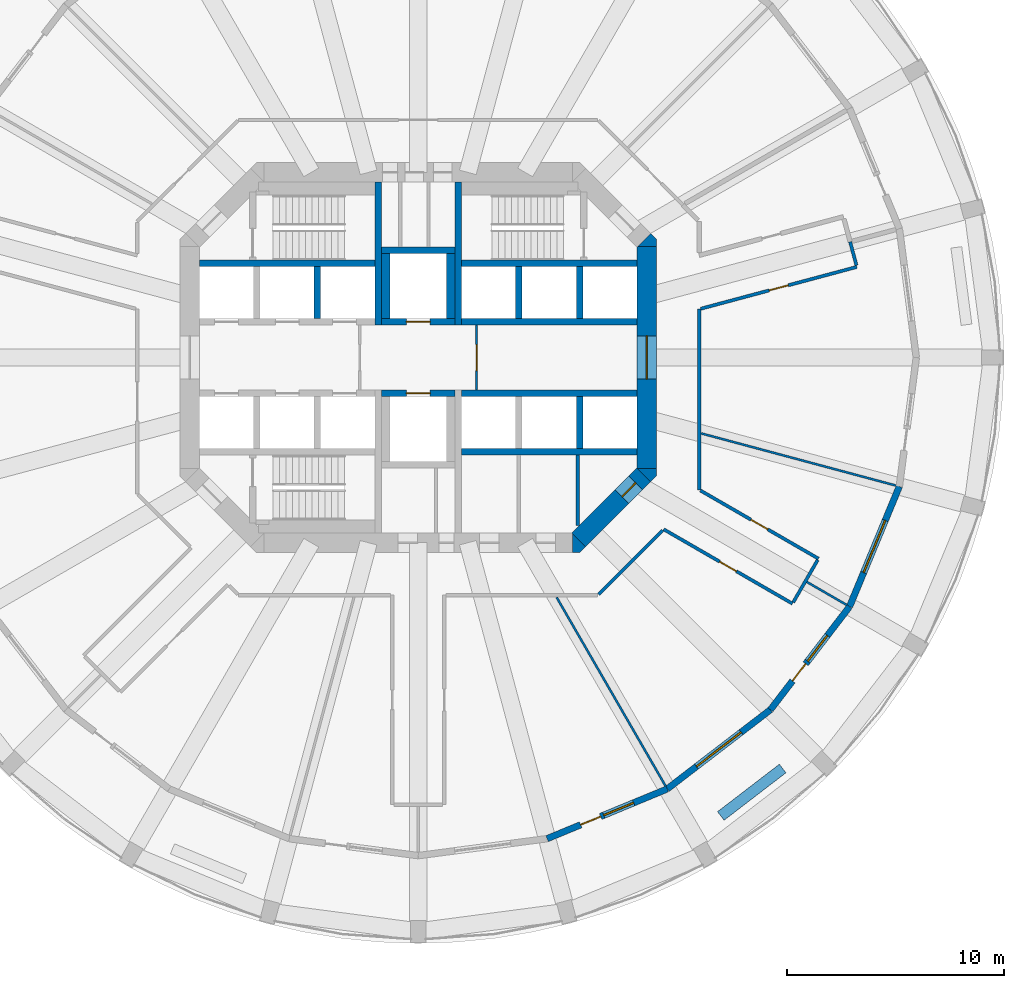
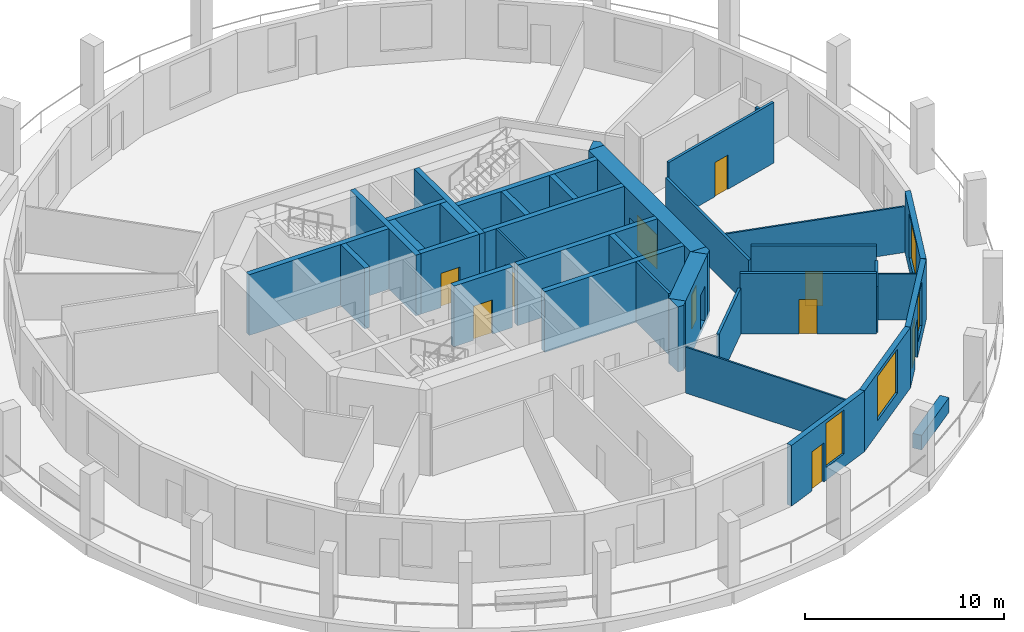
# One storey, part 4 of 9: 38 walls, 10 doors, 4 windows, 14 openings.
"""IFC4 building model written with IfcOpenShell, lengths in metres."""

from ifc_helpers import new_model, si_unit, direction, frame, frame_2d, origin, place, context, subcontext, project, spatial, polyline, rectangle, outline, extrude, material, layer, layer_set, type_object, element, fill, save


model = new_model("IFC4")

# Units and contexts
model_context = context("Model", 3, precision=1e-05, world=origin(), true_north=direction((0.0, 1.0)))
body_context = subcontext(model_context, "Body", "Model", "MODEL_VIEW")
ifc_project = project(units=[si_unit("LENGTHUNIT", "METRE"), si_unit("AREAUNIT", "SQUARE_METRE"), si_unit("VOLUMEUNIT", "CUBIC_METRE"), si_unit("PLANEANGLEUNIT", "RADIAN"), si_unit("MASSUNIT", "GRAM", prefix="KILO")], contexts=[model_context])

# Site, building, storey
site_placement = place(None, origin())
site = spatial("IfcSite", under=ifc_project, at=site_placement, CompositionType="ELEMENT")
building_placement = place(site_placement, origin())
building = spatial("IfcBuilding", under=site, at=building_placement, Name="Torre Triforio", CompositionType="ELEMENT")
storey_placement = place(building_placement, frame((0.0, 0.0, 47.0)))
storey = spatial("IfcBuildingStorey", under=building, at=storey_placement, Name="L09", CompositionType="ELEMENT", Elevation=47.0)

# Walls
ifc_material_1 = material(Name="Concrete C60", Category="concrete")
ifc_layer_1 = layer(ifc_material_1, 0.300048828125)
ifc_layer_set_1 = layer_set([ifc_layer_1], Name="Concrete C60")
wall_type_1 = type_object("IfcWallType", Name="Core wall 300 mm C60 EI 120", PredefinedType="SHEAR", material=ifc_layer_set_1)
for number, where, z_axis, x_axis, name in (
    (1, (-1.85009765625, 1.5, 0.0), (0.0, 0.0, 1.0), (0.0, 1.0, 0.0), "Core wall"),
    (2, (1.85009765625, 1.5, 0.0), (0.0, 0.0, 1.0), (0.0, 1.0, 0.0), "Core wall"),
):
    element("IfcWall", number, at=place(storey_placement, frame(where, z_axis=z_axis, x_axis=x_axis)), inside=storey, type_object=wall_type_1, Name=name, PredefinedType="SHEAR", context=body_context, shape_type="SweptSolid", body=[
        extrude(rectangle(XDim=6.60009765625, YDim=0.300048828125, at=frame_2d((3.300048828125, 0.0))), origin(), (0.0, 0.0, 1.0), 3.719970703125),
    ])

# Wall, opening, door
ifc_layer_2 = layer(ifc_material_1, 0.89990234375)
ifc_layer_set_2 = layer_set([ifc_layer_2], Name="Concrete C60")
wall_type_2 = type_object("IfcWallType", Name="Core wall 900 mm C60 EI 120", PredefinedType="SHEAR", material=ifc_layer_set_2)
wall_1_placement = place(storey_placement, frame((10.550048828125, -5.1298828125, -0.280029296875), z_axis=(0.0, 0.0, 1.0), x_axis=(0.0, 1.0, 0.0)))
wall_1 = element("IfcWall", 3, at=wall_1_placement, inside=storey, type_object=wall_type_2, Name="Core wall", PredefinedType="SHEAR", context=body_context, shape_type="SweptSolid", body=[
    extrude(rectangle(XDim=10.259765625, YDim=0.89990234375, at=frame_2d((5.1298828125, 0.0))), origin(), (0.0, 0.0, 1.0), 4.0),
])
opening_1_placement = place(wall_1_placement, frame((4.1298828125, 0.0, 0.280029296875)))
opening_1 = element("IfcOpeningElement", 4, at=opening_1_placement, cuts=wall_1, Name="Opening E-RING", PredefinedType="OPENING", context=body_context, shape_type="SweptSolid", body=[
    extrude(rectangle(XDim=2.0, YDim=2.10009765625, at=frame_2d((1.0, 1.050048828125))), frame((0.0, 0.4599609375, 0.0), z_axis=(0.0, -1.0, 0.0), x_axis=(1.0, 0.0, 0.0)), (0.0, 0.0, 1.0), 0.919921875),
])
ifc_material_2 = material(Name="Hollow metal fire door leaf")
door_type_1 = type_object("IfcDoorType", Name="Lobby door 2000 x 2100 EI 60", OperationType="DOUBLE_DOOR_SINGLE_SWING", PredefinedType="DOOR", material=ifc_material_2)
door_1_placement = place(opening_1_placement, origin())
door_1 = element("IfcDoor", 5, at=door_1_placement, inside=storey, type_object=door_type_1, Name="Core door E-RING", OperationType="DOUBLE_DOOR_SINGLE_SWING", OverallHeight=2.10009765625, OverallWidth=2.0, PredefinedType="DOOR", context=body_context, shape_type="SweptSolid", body=[
    extrude(rectangle(XDim=2.0, YDim=2.10009765625, at=frame_2d((1.0, 1.050048828125))), frame((0.0, 0.02490234375, 0.0), z_axis=(0.0, -1.0, 0.0), x_axis=(1.0, 0.0, 0.0)), (0.0, 0.0, 1.0), 0.050048828125),
])
fill(opening_1, door_1)

wall_2_placement = place(storey_placement, frame((10.418212890625, -5.418212890625, -0.280029296875), z_axis=(0.0, 0.0, 1.0), x_axis=(-0.707106781187, -0.707106781187, 0.0)))
wall_2 = element("IfcWall", 6, at=wall_2_placement, inside=storey, type_object=wall_type_2, Name="Core wall", PredefinedType="SHEAR", context=body_context, shape_type="SweptSolid", body=[
    extrude(rectangle(XDim=4.24267578125, YDim=0.89990234375, at=frame_2d((2.121337890625, 0.0))), origin(), (0.0, 0.0, 1.0), 4.0),
])
opening_2_placement = place(wall_2_placement, frame((0.52001953125, 0.0, 0.280029296875)))
opening_2 = element("IfcOpeningElement", 7, at=opening_2_placement, cuts=wall_2, Name="Opening SE-03", PredefinedType="OPENING", context=body_context, shape_type="SweptSolid", body=[
    extrude(rectangle(XDim=0.89990234375, YDim=2.10009765625, at=frame_2d((0.449951171875, 1.050048828125))), frame((0.0, 0.4599609375, 0.0), z_axis=(0.0, -1.0, 0.0), x_axis=(1.0, 0.0, 0.0)), (0.0, 0.0, 1.0), 0.919921875),
])
door_type_2 = type_object("IfcDoorType", Name="Room door 900 x 2100 EI 60", OperationType="NOTDEFINED", PredefinedType="DOOR", material=ifc_material_2)
door_2_placement = place(opening_2_placement, origin())
door_2 = element("IfcDoor", 8, at=door_2_placement, inside=storey, type_object=door_type_2, Name="Core door SE-03", OperationType="SINGLE_SWING_RIGHT", OverallHeight=2.10009765625, OverallWidth=0.89990234375, PredefinedType="DOOR", context=body_context, shape_type="SweptSolid", body=[
    extrude(rectangle(XDim=0.89990234375, YDim=2.10009765625, at=frame_2d((0.449951171875, 1.050048828125))), frame((0.0, 0.02490234375, 0.0), z_axis=(0.0, -1.0, 0.0), x_axis=(1.0, 0.0, 0.0)), (0.0, 0.0, 1.0), 0.050048828125),
])
fill(opening_2, door_2)

# Walls
wall_3_placement = place(storey_placement, frame((0.0, 0.0, -0.280029296875)))
element("IfcWall", 9, at=wall_3_placement, inside=storey, type_object=wall_type_2, Name="Core wall", PredefinedType="SHEAR", context=body_context, shape_type="SweptSolid", body=[
    extrude(outline(polyline([(7.472900390625, -9.0), (7.1298828125, -9.0), (7.1298828125, -8.1298828125), (7.736328125, -8.736328125), (7.472900390625, -9.0)])), origin(), (0.0, 0.0, 1.0), 4.0),
])
wall_4_placement = place(storey_placement, frame((0.0, 0.0, -0.280029296875)))
element("IfcWall", 10, at=wall_4_placement, inside=storey, type_object=wall_type_2, Name="Core wall", PredefinedType="SHEAR", context=body_context, shape_type="SweptSolid", body=[
    extrude(outline(polyline([(11.0, -5.472900390625), (10.736328125, -5.736328125), (10.1298828125, -5.1298828125), (11.0, -5.1298828125), (11.0, -5.472900390625)])), origin(), (0.0, 0.0, 1.0), 4.0),
])
wall_5_placement = place(storey_placement, frame((0.0, 0.0, -0.280029296875)))
element("IfcWall", 11, at=wall_5_placement, inside=storey, type_object=wall_type_2, Name="Core wall", PredefinedType="SHEAR", context=body_context, shape_type="SweptSolid", body=[
    extrude(outline(polyline([(11.0, 5.472900390625), (11.0, 5.1298828125), (10.1298828125, 5.1298828125), (10.736328125, 5.736328125), (11.0, 5.472900390625)])), origin(), (0.0, 0.0, 1.0), 4.0),
])
ifc_material_3 = material(Name="Plasterboard on metal studs")
ifc_layer_3 = layer(ifc_material_3, 0.14990234375)
ifc_layer_set_3 = layer_set([ifc_layer_3], Name="Plasterboard on metal studs")
wall_type_3 = type_object("IfcWallType", Name="Corridor and tenancy wall 150 mm EI 60", PredefinedType="PARTITIONING", material=ifc_layer_set_3)
wall_6_placement = place(storey_placement, frame((18.44482421875, -9.35009765625, 0.0), z_axis=(0.0, 0.0, 1.0), x_axis=(-0.500013631625, -0.866017533419, 0.0)))
element("IfcWall", 12, at=wall_6_placement, inside=storey, type_object=wall_type_3, Name="Partition 1", PredefinedType="PARTITIONING", context=body_context, shape_type="SweptSolid", body=[
    extrude(rectangle(XDim=2.25, YDim=0.14990234375, at=frame_2d((1.125, 0.0))), origin(), (0.0, 0.0, 1.0), 2.820068359375),
])

# Wall, opening, door
wall_7_placement = place(storey_placement, frame((17.2822265625, -11.363525390625, 0.0), z_axis=(0.0, 0.0, 1.0), x_axis=(-0.86603341746, 0.49998611965, 0.0)))
wall_7 = element("IfcWall", 13, at=wall_7_placement, inside=storey, type_object=wall_type_3, Name="Partition 2", PredefinedType="PARTITIONING", context=body_context, shape_type="SweptSolid", body=[
    extrude(rectangle(XDim=6.866455078125, YDim=0.14990234375, at=frame_2d((3.43310546875, 0.0))), origin(), (0.0, 0.0, 1.0), 3.719970703125),
])
opening_3_placement = place(wall_7_placement, frame((2.9833984375, 0.0, 0.0)))
opening_3 = element("IfcOpeningElement", 14, at=opening_3_placement, cuts=wall_7, Name="Opening N2-08", PredefinedType="OPENING", context=body_context, shape_type="SweptSolid", body=[
    extrude(rectangle(XDim=0.89990234375, YDim=2.10009765625, at=frame_2d((0.449951171875, 1.050048828125))), frame((0.0, 0.0849609375, 0.0), z_axis=(0.0, -1.0, 0.0), x_axis=(1.0, 0.0, 0.0)), (0.0, 0.0, 1.0), 0.169921875),
])
ifc_material_4 = material(Name="Timber", Category="wood")
door_type_3 = type_object("IfcDoorType", Name="Door 900 x 2100 single leaf EI 30", OperationType="NOTDEFINED", PredefinedType="DOOR", material=ifc_material_4)
door_3_placement = place(opening_3_placement, origin())
door_3 = element("IfcDoor", 15, at=door_3_placement, inside=storey, type_object=door_type_3, Name="Door N2-08", OperationType="SINGLE_SWING_RIGHT", OverallHeight=2.10009765625, OverallWidth=0.89990234375, PredefinedType="DOOR", context=body_context, shape_type="SweptSolid", body=[
    extrude(rectangle(XDim=0.89990234375, YDim=2.10009765625, at=frame_2d((0.449951171875, 1.050048828125))), frame((0.0, 0.02490234375, 0.0), z_axis=(0.0, -1.0, 0.0), x_axis=(1.0, 0.0, 0.0)), (0.0, 0.0, 1.0), 0.050048828125),
])
fill(opening_3, door_3)

# Walls
wall_8_placement = place(storey_placement, frame((11.2841796875, -7.9814453125, 0.0), z_axis=(0.0, 0.0, 1.0), x_axis=(-0.707077584218, -0.707135976949, 0.0)))
element("IfcWall", 16, at=wall_8_placement, inside=storey, type_object=wall_type_3, Name="Partition 3", PredefinedType="PARTITIONING", context=body_context, shape_type="SweptSolid", body=[
    extrude(rectangle(XDim=4.180908203125, YDim=0.14990234375, at=frame_2d((2.09033203125, 0.0))), origin(), (0.0, 0.0, 1.0), 2.820068359375),
])
wall_9_placement = place(storey_placement, frame((19.945068359375, 5.34423828125, 0.0), z_axis=(0.0, 0.0, 1.0), x_axis=(0.258891558609, -0.965906393436, 0.0)))
element("IfcWall", 17, at=wall_9_placement, inside=storey, type_object=wall_type_3, Name="Partition 26", PredefinedType="PARTITIONING", context=body_context, shape_type="SweptSolid", body=[
    extrude(rectangle(XDim=1.125, YDim=0.14990234375, at=frame_2d((0.5625, 0.0))), origin(), (0.0, 0.0, 1.0), 2.820068359375),
])

# Wall, opening, door
wall_10_placement = place(storey_placement, frame((20.255615234375, 4.185302734375, 0.0), z_axis=(0.0, 0.0, 1.0), x_axis=(-0.965924840231, -0.258822725092, 0.0)))
wall_10 = element("IfcWall", 18, at=wall_10_placement, inside=storey, type_object=wall_type_3, Name="Partition 27", PredefinedType="PARTITIONING", context=body_context, shape_type="SweptSolid", body=[
    extrude(rectangle(XDim=7.465087890625, YDim=0.14990234375, at=frame_2d((3.732421875, 0.0))), origin(), (0.0, 0.0, 1.0), 3.719970703125),
])
opening_4_placement = place(wall_10_placement, frame((3.282470703125, 0.0, 0.0)))
opening_4 = element("IfcOpeningElement", 19, at=opening_4_placement, cuts=wall_10, Name="Opening N2-10", PredefinedType="OPENING", context=body_context, shape_type="SweptSolid", body=[
    extrude(rectangle(XDim=0.89990234375, YDim=2.10009765625, at=frame_2d((0.449951171875, 1.050048828125))), frame((0.0, 0.0849609375, 0.0), z_axis=(0.0, -1.0, 0.0), x_axis=(1.0, 0.0, 0.0)), (0.0, 0.0, 1.0), 0.169921875),
])
door_4_placement = place(opening_4_placement, origin())
door_4 = element("IfcDoor", 20, at=door_4_placement, inside=storey, type_object=door_type_3, Name="Door N2-10", OperationType="SINGLE_SWING_RIGHT", OverallHeight=2.10009765625, OverallWidth=0.89990234375, PredefinedType="DOOR", context=body_context, shape_type="SweptSolid", body=[
    extrude(rectangle(XDim=0.89990234375, YDim=2.10009765625, at=frame_2d((0.449951171875, 1.050048828125))), frame((0.0, 0.02490234375, 0.0), z_axis=(0.0, -1.0, 0.0), x_axis=(1.0, 0.0, 0.0)), (0.0, 0.0, 1.0), 0.050048828125),
])
fill(opening_4, door_4)

# Wall
wall_11_placement = place(storey_placement, frame((12.97509765625, 2.234375, 0.0), z_axis=(0.0, 0.0, 1.0), x_axis=(0.0, -1.0, 0.0)))
element("IfcWall", 21, at=wall_11_placement, inside=storey, type_object=wall_type_3, Name="Partition 28", PredefinedType="PARTITIONING", context=body_context, shape_type="SweptSolid", body=[
    extrude(rectangle(XDim=8.33984375, YDim=0.14990234375, at=frame_2d((4.169921875, 0.0))), origin(), (0.0, 0.0, 1.0), 2.820068359375),
])

# Wall, opening, door
wall_12_placement = place(storey_placement, frame((13.03125, -6.137939453125, 0.0), z_axis=(0.0, 0.0, 1.0), x_axis=(0.86602669382, -0.499997765587, 0.0)))
wall_12 = element("IfcWall", 22, at=wall_12_placement, inside=storey, type_object=wall_type_3, Name="Partition 29", PredefinedType="PARTITIONING", context=body_context, shape_type="SweptSolid", body=[
    extrude(rectangle(XDim=6.29443359375, YDim=0.14990234375, at=frame_2d((3.147216796875, 0.0))), origin(), (0.0, 0.0, 1.0), 3.719970703125),
])
opening_5_placement = place(wall_12_placement, frame((2.697021484375, 0.0, 0.0)))
opening_5 = element("IfcOpeningElement", 23, at=opening_5_placement, cuts=wall_12, Name="Opening N2-09", PredefinedType="OPENING", context=body_context, shape_type="SweptSolid", body=[
    extrude(rectangle(XDim=0.89990234375, YDim=2.10009765625, at=frame_2d((0.449951171875, 1.050048828125))), frame((0.0, 0.0849609375, 0.0), z_axis=(0.0, -1.0, 0.0), x_axis=(1.0, 0.0, 0.0)), (0.0, 0.0, 1.0), 0.169921875),
])
door_5_placement = place(opening_5_placement, origin())
door_5 = element("IfcDoor", 24, at=door_5_placement, inside=storey, type_object=door_type_3, Name="Door N2-09", OperationType="SINGLE_SWING_LEFT", OverallHeight=2.10009765625, OverallWidth=0.89990234375, PredefinedType="DOOR", context=body_context, shape_type="SweptSolid", body=[
    extrude(rectangle(XDim=0.89990234375, YDim=2.10009765625, at=frame_2d((0.449951171875, 1.050048828125))), frame((0.0, 0.02490234375, 0.0), z_axis=(0.0, -1.0, 0.0), x_axis=(1.0, 0.0, 0.0)), (0.0, 0.0, 1.0), 0.050048828125),
])
fill(opening_5, door_5)

ifc_material_5 = material(Name="Block and board partition")
ifc_layer_4 = layer(ifc_material_5, 0.10009765625)
ifc_layer_set_4 = layer_set([ifc_layer_4], Name="Block and board partition")
wall_type_4 = type_object("IfcWallType", Name="Partition 100 mm EI 120", PredefinedType="PARTITIONING", material=ifc_layer_set_4)
wall_13_placement = place(storey_placement, frame((2.699951171875, -1.5, 0.0), z_axis=(0.0, 0.0, 1.0), x_axis=(0.0, 1.0, 0.0)))
wall_13 = element("IfcWall", 25, at=wall_13_placement, inside=storey, type_object=wall_type_4, Name="Partition", PredefinedType="PARTITIONING", context=body_context, shape_type="SweptSolid", body=[
    extrude(rectangle(XDim=3.0, YDim=0.10009765625, at=frame_2d((1.5, 0.0))), origin(), (0.0, 0.0, 1.0), 3.719970703125),
])
opening_6_placement = place(wall_13_placement, frame((0.89990234375, 0.0, 0.0)))
opening_6 = element("IfcOpeningElement", 26, at=opening_6_placement, cuts=wall_13, Name="Opening FF-E", PredefinedType="OPENING", context=body_context, shape_type="SweptSolid", body=[
    extrude(rectangle(XDim=1.199951171875, YDim=2.10009765625, at=frame_2d((0.60009765625, 1.050048828125))), frame((0.0, 0.06005859375, 0.0), z_axis=(0.0, -1.0, 0.0), x_axis=(1.0, 0.0, 0.0)), (0.0, 0.0, 1.0), 0.1201171875),
])
door_type_4 = type_object("IfcDoorType", Name="Fire-fighting lobby door 1200 x 2100 EI 60", OperationType="NOTDEFINED", PredefinedType="DOOR", material=ifc_material_2)
door_6_placement = place(opening_6_placement, origin())
door_6 = element("IfcDoor", 27, at=door_6_placement, inside=storey, type_object=door_type_4, Name="Core door FF-E", OperationType="SINGLE_SWING_RIGHT", OverallHeight=2.10009765625, OverallWidth=1.199951171875, PredefinedType="DOOR", context=body_context, shape_type="SweptSolid", body=[
    extrude(rectangle(XDim=1.199951171875, YDim=2.10009765625, at=frame_2d((0.60009765625, 1.050048828125))), frame((0.0, 0.02490234375, 0.0), z_axis=(0.0, -1.0, 0.0), x_axis=(1.0, 0.0, 0.0)), (0.0, 0.0, 1.0), 0.050048828125),
])
fill(opening_6, door_6)

# Walls
ifc_layer_5 = layer(ifc_material_3, 0.10009765625)
ifc_layer_set_5 = layer_set([ifc_layer_5], Name="Plasterboard on metal studs")
wall_type_5 = type_object("IfcWallType", Name="Partition 100 mm board on metal studs", PredefinedType="PARTITIONING", material=ifc_layer_set_5)
wall_14_placement = place(storey_placement, frame((6.393798828125, -11.07470703125, 0.0), z_axis=(0.0, 0.0, 1.0), x_axis=(0.500024592647, -0.866011204747, 0.0)))
element("IfcWall", 28, at=wall_14_placement, inside=storey, type_object=wall_type_5, Name="Partition 39", PredefinedType="PARTITIONING", context=body_context, shape_type="SweptSolid", body=[
    extrude(rectangle(XDim=10.048828125, YDim=0.10009765625, at=frame_2d((5.0244140625, 0.0))), origin(), (0.0, 0.0, 1.0), 2.820068359375),
])
wall_15_placement = place(storey_placement, frame((17.947265625, -10.36181640625, 0.0), z_axis=(0.0, 0.0, 1.0), x_axis=(0.865987390988, -0.500065834316, 0.0)))
element("IfcWall", 29, at=wall_15_placement, inside=storey, type_object=wall_type_5, Name="Partition 40", PredefinedType="PARTITIONING", context=body_context, shape_type="SweptSolid", body=[
    extrude(rectangle(XDim=2.113037109375, YDim=0.10009765625, at=frame_2d((1.056640625, 0.0))), origin(), (0.0, 0.0, 1.0), 2.820068359375),
])
wall_16_placement = place(storey_placement, frame((13.064208984375, -3.50048828125, 0.0), z_axis=(0.0, 0.0, 1.0), x_axis=(0.965922655056, -0.258830880017, 0.0)))
element("IfcWall", 30, at=wall_16_placement, inside=storey, type_object=wall_type_5, Name="Partition 41", PredefinedType="PARTITIONING", context=body_context, shape_type="SweptSolid", body=[
    extrude(rectangle(XDim=9.311767578125, YDim=0.10009765625, at=frame_2d((4.65576171875, 0.0))), origin(), (0.0, 0.0, 1.0), 2.820068359375),
])
ifc_layer_6 = layer(ifc_material_5, 0.14990234375)
ifc_layer_set_6 = layer_set([ifc_layer_6], Name="Block and board partition")
wall_type_6 = type_object("IfcWallType", Name="Partition 150 mm", PredefinedType="PARTITIONING", material=ifc_layer_set_6)
wall_17_placement = place(storey_placement, frame((7.373046875, -7.751953125, 0.0), z_axis=(0.0, 0.0, 1.0), x_axis=(0.0, 1.0, 0.0)))
element("IfcWall", 31, at=wall_17_placement, inside=storey, type_object=wall_type_6, Name="Partition", PredefinedType="PARTITIONING", context=body_context, shape_type="SweptSolid", body=[
    extrude(rectangle(XDim=3.251953125, YDim=0.14990234375, at=frame_2d((1.6259765625, 0.0))), origin(), (0.0, 0.0, 1.0), 3.719970703125),
])
ifc_material_6 = material(Name="Limestone cladding", Category="masonry")
ifc_layer_7 = layer(ifc_material_6, 0.10009765625)
ifc_material_7 = material(Name="Concrete C40", Category="concrete")
ifc_layer_8 = layer(ifc_material_7, 0.39990234375)
ifc_layer_set_7 = layer_set([ifc_layer_7, ifc_layer_8], Name="Limestone cladding / Concrete C40")
wall_type_7 = type_object("IfcWallType", Name="Planter wall 500", PredefinedType="PARAPET", material=ifc_layer_set_7)
wall_18_placement = place(storey_placement, frame((13.9736328125, -21.16748046875, 0.0), z_axis=(0.0, 0.0, 1.0), x_axis=(0.793359599829, 0.608753271334, 0.0)))
element("IfcWall", 32, at=wall_18_placement, inside=storey, type_object=wall_type_7, Name="Planter L09 bay 21", PredefinedType="PARAPET", context=body_context, shape_type="SweptSolid", body=[
    extrude(rectangle(XDim=3.599853515625, YDim=0.5, at=frame_2d((1.7998046875, 0.0))), origin(), (0.0, 0.0, 1.0), 0.89990234375),
])
ifc_layer_9 = layer(ifc_material_1, 0.300048828125)
ifc_layer_set_8 = layer_set([ifc_layer_9], Name="Concrete C60")
wall_type_8 = type_object("IfcWallType", Name="Shaft wall 300 mm C60 EI 120", PredefinedType="SOLIDWALL", material=ifc_layer_set_8)
for number, where, z_axis, x_axis, name in (
    (33, (-10.10009765625, 4.35009765625, 0.0), (0.0, 0.0, 1.0), (1.0, 0.0, 0.0), "Shaft wall"),
    (34, (2.0, 4.35009765625, 0.0), (0.0, 0.0, 1.0), (1.0, 0.0, 0.0), "Shaft wall"),
    (35, (2.0, -4.35009765625, 0.0), (0.0, 0.0, 1.0), (1.0, 0.0, 0.0), "Shaft wall"),
    (36, (2.0, 1.64990234375, 0.0), (0.0, 0.0, 1.0), (1.0, 0.0, 0.0), "Shaft wall"),
    (37, (2.0, -1.64990234375, 0.0), (0.0, 0.0, 1.0), (1.0, 0.0, 0.0), "Shaft wall"),
):
    element("IfcWall", number, at=place(storey_placement, frame(where, z_axis=z_axis, x_axis=x_axis)), inside=storey, type_object=wall_type_8, Name=name, PredefinedType="SOLIDWALL", context=body_context, shape_type="SweptSolid", body=[
        extrude(rectangle(XDim=8.10009765625, YDim=0.300048828125, at=frame_2d((4.050048828125, 0.0))), origin(), (0.0, 0.0, 1.0), 3.719970703125),
    ])
for number, where, z_axis, x_axis, name in (
    (38, (-4.64990234375, 1.800048828125, 0.0), (0.0, 0.0, 1.0), (0.0, 1.0, 0.0), "Shaft wall"),
    (39, (4.64990234375, 1.800048828125, 0.0), (0.0, 0.0, 1.0), (0.0, 1.0, 0.0), "Shaft wall"),
    (40, (7.449951171875, 1.800048828125, 0.0), (0.0, 0.0, 1.0), (0.0, 1.0, 0.0), "Shaft wall"),
    (41, (7.449951171875, -4.199951171875, 0.0), (0.0, 0.0, 1.0), (0.0, 1.0, 0.0), "Shaft wall"),
):
    element("IfcWall", number, at=place(storey_placement, frame(where, z_axis=z_axis, x_axis=x_axis)), inside=storey, type_object=wall_type_8, Name=name, PredefinedType="SOLIDWALL", context=body_context, shape_type="SweptSolid", body=[
        extrude(rectangle(XDim=2.39990234375, YDim=0.300048828125, at=frame_2d((1.199951171875, 0.0))), origin(), (0.0, 0.0, 1.0), 3.719970703125),
    ])

# Wall, opening, door
wall_19_placement = place(storey_placement, frame((-1.699951171875, 1.64990234375, 0.0), z_axis=(0.0, 0.0, 1.0), x_axis=(1.0, 0.0, 0.0)))
wall_19 = element("IfcWall", 42, at=wall_19_placement, inside=storey, type_object=wall_type_8, Name="Shaft wall", PredefinedType="SOLIDWALL", context=body_context, shape_type="SweptSolid", body=[
    extrude(rectangle(XDim=3.39990234375, YDim=0.300048828125, at=frame_2d((1.699951171875, 0.0))), origin(), (0.0, 0.0, 1.0), 3.719970703125),
])
opening_7_placement = place(wall_19_placement, frame((1.14990234375, 0.0, 0.0)))
opening_7 = element("IfcOpeningElement", 43, at=opening_7_placement, cuts=wall_19, Name="Opening LD", PredefinedType="OPENING", context=body_context, shape_type="SweptSolid", body=[
    extrude(rectangle(XDim=1.10009765625, YDim=2.10009765625, at=frame_2d((0.550048828125, 1.050048828125))), frame((0.0, 0.159912109375, 0.0), z_axis=(0.0, -1.0, 0.0), x_axis=(1.0, 0.0, 0.0)), (0.0, 0.0, 1.0), 0.320068359375),
])
door_type_5 = type_object("IfcDoorType", Name="Landing door 1100 x 2100 EI 60", OperationType="DOUBLE_DOOR_SLIDING", PredefinedType="DOOR", material=ifc_material_2)
door_7_placement = place(opening_7_placement, origin())
door_7 = element("IfcDoor", 44, at=door_7_placement, inside=storey, type_object=door_type_5, Name="Landing door FFL1", OperationType="DOUBLE_DOOR_SLIDING", OverallHeight=2.10009765625, OverallWidth=1.10009765625, PredefinedType="DOOR", context=body_context, shape_type="SweptSolid", body=[
    extrude(rectangle(XDim=1.10009765625, YDim=2.10009765625, at=frame_2d((0.550048828125, 1.050048828125))), frame((0.0, 0.02490234375, 0.0), z_axis=(0.0, -1.0, 0.0), x_axis=(1.0, 0.0, 0.0)), (0.0, 0.0, 1.0), 0.050048828125),
])
fill(opening_7, door_7)

wall_20_placement = place(storey_placement, frame((-1.699951171875, -1.64990234375, 0.0), z_axis=(0.0, 0.0, 1.0), x_axis=(1.0, 0.0, 0.0)))
wall_20 = element("IfcWall", 45, at=wall_20_placement, inside=storey, type_object=wall_type_8, Name="Shaft wall", PredefinedType="SOLIDWALL", context=body_context, shape_type="SweptSolid", body=[
    extrude(rectangle(XDim=3.39990234375, YDim=0.300048828125, at=frame_2d((1.699951171875, 0.0))), origin(), (0.0, 0.0, 1.0), 3.719970703125),
])
opening_8_placement = place(wall_20_placement, frame((1.14990234375, 0.0, 0.0)))
opening_8 = element("IfcOpeningElement", 46, at=opening_8_placement, cuts=wall_20, Name="Opening LD", PredefinedType="OPENING", context=body_context, shape_type="SweptSolid", body=[
    extrude(rectangle(XDim=1.10009765625, YDim=2.10009765625, at=frame_2d((0.550048828125, 1.050048828125))), frame((0.0, 0.159912109375, 0.0), z_axis=(0.0, -1.0, 0.0), x_axis=(1.0, 0.0, 0.0)), (0.0, 0.0, 1.0), 0.320068359375),
])
door_8_placement = place(opening_8_placement, origin())
door_8 = element("IfcDoor", 47, at=door_8_placement, inside=storey, type_object=door_type_5, Name="Landing door FFL2", OperationType="DOUBLE_DOOR_SLIDING", OverallHeight=2.10009765625, OverallWidth=1.10009765625, PredefinedType="DOOR", context=body_context, shape_type="SweptSolid", body=[
    extrude(rectangle(XDim=1.10009765625, YDim=2.10009765625, at=frame_2d((0.550048828125, 1.050048828125))), frame((0.0, 0.02490234375, 0.0), z_axis=(0.0, -1.0, 0.0), x_axis=(1.0, 0.0, 0.0)), (0.0, 0.0, 1.0), 0.050048828125),
])
fill(opening_8, door_8)

# Walls
wall_21_placement = place(storey_placement, frame((-1.699951171875, 4.949951171875, 0.0), z_axis=(0.0, 0.0, 1.0), x_axis=(1.0, 0.0, 0.0)))
element("IfcWall", 48, at=wall_21_placement, inside=storey, type_object=wall_type_8, Name="Shaft wall", PredefinedType="SOLIDWALL", context=body_context, shape_type="SweptSolid", body=[
    extrude(rectangle(XDim=3.39990234375, YDim=0.300048828125, at=frame_2d((1.699951171875, 0.0))), origin(), (0.0, 0.0, 1.0), 3.719970703125),
])
ifc_layer_10 = layer(ifc_material_1, 0.39990234375)
ifc_layer_set_9 = layer_set([ifc_layer_10], Name="Concrete C60")
wall_type_9 = type_object("IfcWallType", Name="Shaft wall 400 mm C60 EI 120", PredefinedType="SOLIDWALL", material=ifc_layer_set_9)
for number, where, z_axis, x_axis, name in (
    (49, (-1.5, 1.800048828125, 0.0), (0.0, 0.0, 1.0), (0.0, 1.0, 0.0), "Shaft wall"),
    (50, (1.5, 1.800048828125, 0.0), (0.0, 0.0, 1.0), (0.0, 1.0, 0.0), "Shaft wall"),
):
    element("IfcWall", number, at=place(storey_placement, frame(where, z_axis=z_axis, x_axis=x_axis)), inside=storey, type_object=wall_type_9, Name=name, PredefinedType="SOLIDWALL", context=body_context, shape_type="SweptSolid", body=[
        extrude(rectangle(XDim=3.0, YDim=0.39990234375, at=frame_2d((1.5, 0.0))), origin(), (0.0, 0.0, 1.0), 3.719970703125),
    ])

# Wall, openings, door, window
ifc_layer_11 = layer(ifc_material_6, 0.10009765625)
ifc_layer_12 = layer(ifc_material_7, 0.199951171875)
ifc_layer_set_10 = layer_set([ifc_layer_11, ifc_layer_12], Name="Limestone cladding / Concrete C40")
wall_type_10 = type_object("IfcWallType", Name="Stone-faced composite wall 300", PredefinedType="STANDARD", material=ifc_layer_set_10)
wall_22_placement = place(storey_placement, frame((5.952880859375, -22.21630859375, 0.0), z_axis=(0.0, 0.0, 1.0), x_axis=(0.923884511653, 0.382671411433, 0.0)))
wall_22 = element("IfcWall", 51, at=wall_22_placement, inside=storey, type_object=wall_type_10, Name="External wall L09 bay 20", PredefinedType="STANDARD", context=body_context, shape_type="SweptSolid", body=[
    extrude(rectangle(XDim=6.004150390625, YDim=0.300048828125, at=frame_2d((3.001953125, 0.0))), origin(), (0.0, 0.0, 1.0), 3.719970703125),
])
opening_9_placement = place(wall_22_placement, frame((1.677001953125, 0.0, 0.0)))
opening_9 = element("IfcOpeningElement", 52, at=opening_9_placement, cuts=wall_22, Name="Opening N2-D20", PredefinedType="OPENING", context=body_context, shape_type="SweptSolid", body=[
    extrude(rectangle(XDim=1.0, YDim=2.39990234375, at=frame_2d((0.5, 1.199951171875))), frame((0.0, 0.159912109375, 0.0), z_axis=(0.0, -1.0, 0.0), x_axis=(1.0, 0.0, 0.0)), (0.0, 0.0, 1.0), 0.320068359375),
])
opening_10_placement = place(wall_22_placement, frame((2.8271484375, 0.0, 0.800048828125)))
opening_10 = element("IfcOpeningElement", 53, at=opening_10_placement, cuts=wall_22, Name="Opening N2-W20A", PredefinedType="OPENING", context=body_context, shape_type="SweptSolid", body=[
    extrude(rectangle(XDim=1.5, YDim=2.699951171875, at=frame_2d((0.75, 1.35009765625))), frame((0.0, 0.159912109375, 0.0), z_axis=(0.0, -1.0, 0.0), x_axis=(1.0, 0.0, 0.0)), (0.0, 0.0, 1.0), 0.320068359375),
])
ifc_material_8 = material(Name="Aluminium frame with clear double glazing", Category="aluminium")
door_type_6 = type_object("IfcDoorType", Name="Loggia door 1000 x 2400", OperationType="NOTDEFINED", PredefinedType="DOOR", material=ifc_material_8)
door_9_placement = place(opening_9_placement, origin())
door_9 = element("IfcDoor", 54, at=door_9_placement, inside=storey, type_object=door_type_6, Name="Loggia door L09 bay 20", OperationType="SINGLE_SWING_RIGHT", OverallHeight=2.39990234375, OverallWidth=1.0, PredefinedType="DOOR", context=body_context, shape_type="SweptSolid", body=[
    extrude(rectangle(XDim=1.0, YDim=2.39990234375, at=frame_2d((0.5, 1.199951171875))), frame((0.0, 0.02490234375, 0.0), z_axis=(0.0, -1.0, 0.0), x_axis=(1.0, 0.0, 0.0)), (0.0, 0.0, 1.0), 0.050048828125),
])
fill(opening_9, door_9)
window_type_1 = type_object("IfcWindowType", Name="Side window 1500 x 2700", PartitioningType="SINGLE_PANEL", PredefinedType="WINDOW", material=ifc_material_8)
window_1_placement = place(opening_10_placement, origin())
window_1 = element("IfcWindow", 55, at=window_1_placement, inside=storey, type_object=window_type_1, Name="Side window EWN12 L09 bay 20", OverallHeight=2.699951171875, OverallWidth=1.5, PartitioningType="SINGLE_PANEL", PredefinedType="WINDOW", context=body_context, shape_type="SweptSolid", body=[
    extrude(rectangle(XDim=1.5, YDim=2.699951171875, at=frame_2d((0.75, 1.35009765625))), frame((0.0, 0.030029296875, 0.0), z_axis=(0.0, -1.0, 0.0), x_axis=(1.0, 0.0, 0.0)), (0.0, 0.0, 1.0), 0.06005859375),
])
fill(opening_10, window_1)

# Wall, opening, window
wall_23_placement = place(storey_placement, frame((11.5, -19.918701171875, 0.0), z_axis=(0.0, 0.0, 1.0), x_axis=(0.793339924758, 0.608778912074, 0.0)))
wall_23 = element("IfcWall", 56, at=wall_23_placement, inside=storey, type_object=wall_type_10, Name="External wall L09 bay 21", PredefinedType="STANDARD", context=body_context, shape_type="SweptSolid", body=[
    extrude(rectangle(XDim=6.004150390625, YDim=0.300048828125, at=frame_2d((3.001953125, 0.0))), origin(), (0.0, 0.0, 1.0), 3.719970703125),
])
opening_11_placement = place(wall_23_placement, frame((1.7021484375, 0.0, 0.800048828125)))
opening_11 = element("IfcOpeningElement", 57, at=opening_11_placement, cuts=wall_23, Name="Opening N2-W21", PredefinedType="OPENING", context=body_context, shape_type="SweptSolid", body=[
    extrude(rectangle(XDim=2.60009765625, YDim=2.699951171875, at=frame_2d((1.300048828125, 1.35009765625))), frame((0.0, 0.159912109375, 0.0), z_axis=(0.0, -1.0, 0.0), x_axis=(1.0, 0.0, 0.0)), (0.0, 0.0, 1.0), 0.320068359375),
])
window_type_2 = type_object("IfcWindowType", Name="Punched window 2600 x 2700", PartitioningType="DOUBLE_PANEL_VERTICAL", PredefinedType="WINDOW", material=ifc_material_8)
window_2_placement = place(opening_11_placement, origin())
window_2 = element("IfcWindow", 58, at=window_2_placement, inside=storey, type_object=window_type_2, Name="Window EWN2 L09 bay 21", OverallHeight=2.699951171875, OverallWidth=2.60009765625, PartitioningType="SINGLE_PANEL", PredefinedType="WINDOW", context=body_context, shape_type="SweptSolid", body=[
    extrude(rectangle(XDim=2.60009765625, YDim=2.699951171875, at=frame_2d((1.300048828125, 1.35009765625))), frame((0.0, 0.030029296875, 0.0), z_axis=(0.0, -1.0, 0.0), x_axis=(1.0, 0.0, 0.0)), (0.0, 0.0, 1.0), 0.06005859375),
])
fill(opening_11, window_2)

# Wall, openings, door, window
wall_24_placement = place(storey_placement, frame((16.263427734375, -16.263427734375, 0.0), z_axis=(0.0, 0.0, 1.0), x_axis=(0.608778912074, 0.793339924758, 0.0)))
wall_24 = element("IfcWall", 59, at=wall_24_placement, inside=storey, type_object=wall_type_10, Name="External wall L09 bay 22", PredefinedType="STANDARD", context=body_context, shape_type="SweptSolid", body=[
    extrude(rectangle(XDim=6.004150390625, YDim=0.300048828125, at=frame_2d((3.001953125, 0.0))), origin(), (0.0, 0.0, 1.0), 3.719970703125),
])
opening_12_placement = place(wall_24_placement, frame((1.677001953125, 0.0, 0.0)))
opening_12 = element("IfcOpeningElement", 60, at=opening_12_placement, cuts=wall_24, Name="Opening N2-D22", PredefinedType="OPENING", context=body_context, shape_type="SweptSolid", body=[
    extrude(rectangle(XDim=1.0, YDim=2.39990234375, at=frame_2d((0.5, 1.199951171875))), frame((0.0, 0.159912109375, 0.0), z_axis=(0.0, -1.0, 0.0), x_axis=(1.0, 0.0, 0.0)), (0.0, 0.0, 1.0), 0.320068359375),
])
opening_13_placement = place(wall_24_placement, frame((2.8271484375, 0.0, 0.800048828125)))
opening_13 = element("IfcOpeningElement", 61, at=opening_13_placement, cuts=wall_24, Name="Opening N2-W22A", PredefinedType="OPENING", context=body_context, shape_type="SweptSolid", body=[
    extrude(rectangle(XDim=1.5, YDim=2.699951171875, at=frame_2d((0.75, 1.35009765625))), frame((0.0, 0.159912109375, 0.0), z_axis=(0.0, -1.0, 0.0), x_axis=(1.0, 0.0, 0.0)), (0.0, 0.0, 1.0), 0.320068359375),
])
door_10_placement = place(opening_12_placement, origin())
door_10 = element("IfcDoor", 62, at=door_10_placement, inside=storey, type_object=door_type_6, Name="Loggia door L09 bay 22", OperationType="SINGLE_SWING_LEFT", OverallHeight=2.39990234375, OverallWidth=1.0, PredefinedType="DOOR", context=body_context, shape_type="SweptSolid", body=[
    extrude(rectangle(XDim=1.0, YDim=2.39990234375, at=frame_2d((0.5, 1.199951171875))), frame((0.0, 0.02490234375, 0.0), z_axis=(0.0, -1.0, 0.0), x_axis=(1.0, 0.0, 0.0)), (0.0, 0.0, 1.0), 0.050048828125),
])
fill(opening_12, door_10)
window_3_placement = place(opening_13_placement, origin())
window_3 = element("IfcWindow", 63, at=window_3_placement, inside=storey, type_object=window_type_1, Name="Side window EWN12 L09 bay 22", OverallHeight=2.699951171875, OverallWidth=1.5, PartitioningType="SINGLE_PANEL", PredefinedType="WINDOW", context=body_context, shape_type="SweptSolid", body=[
    extrude(rectangle(XDim=1.5, YDim=2.699951171875, at=frame_2d((0.75, 1.35009765625))), frame((0.0, 0.030029296875, 0.0), z_axis=(0.0, -1.0, 0.0), x_axis=(1.0, 0.0, 0.0)), (0.0, 0.0, 1.0), 0.06005859375),
])
fill(opening_13, window_3)

# Wall, opening, window
wall_25_placement = place(storey_placement, frame((19.918701171875, -11.5, 0.0), z_axis=(0.0, 0.0, 1.0), x_axis=(0.382671411433, 0.923884511653, 0.0)))
wall_25 = element("IfcWall", 64, at=wall_25_placement, inside=storey, type_object=wall_type_10, Name="External wall L09 bay 23", PredefinedType="STANDARD", context=body_context, shape_type="SweptSolid", body=[
    extrude(rectangle(XDim=6.004150390625, YDim=0.300048828125, at=frame_2d((3.001953125, 0.0))), origin(), (0.0, 0.0, 1.0), 3.719970703125),
])
opening_14_placement = place(wall_25_placement, frame((1.7021484375, 0.0, 0.800048828125)))
opening_14 = element("IfcOpeningElement", 65, at=opening_14_placement, cuts=wall_25, Name="Opening N2-W23", PredefinedType="OPENING", context=body_context, shape_type="SweptSolid", body=[
    extrude(rectangle(XDim=2.60009765625, YDim=2.699951171875, at=frame_2d((1.300048828125, 1.35009765625))), frame((0.0, 0.159912109375, 0.0), z_axis=(0.0, -1.0, 0.0), x_axis=(1.0, 0.0, 0.0)), (0.0, 0.0, 1.0), 0.320068359375),
])
window_4_placement = place(opening_14_placement, origin())
window_4 = element("IfcWindow", 66, at=window_4_placement, inside=storey, type_object=window_type_2, Name="Window EWN2 L09 bay 23", OverallHeight=2.699951171875, OverallWidth=2.60009765625, PartitioningType="SINGLE_PANEL", PredefinedType="WINDOW", context=body_context, shape_type="SweptSolid", body=[
    extrude(rectangle(XDim=2.60009765625, YDim=2.699951171875, at=frame_2d((1.300048828125, 1.35009765625))), frame((0.0, 0.030029296875, 0.0), z_axis=(0.0, -1.0, 0.0), x_axis=(1.0, 0.0, 0.0)), (0.0, 0.0, 1.0), 0.06005859375),
])
fill(opening_14, window_4)

save(model, "model.ifc")
